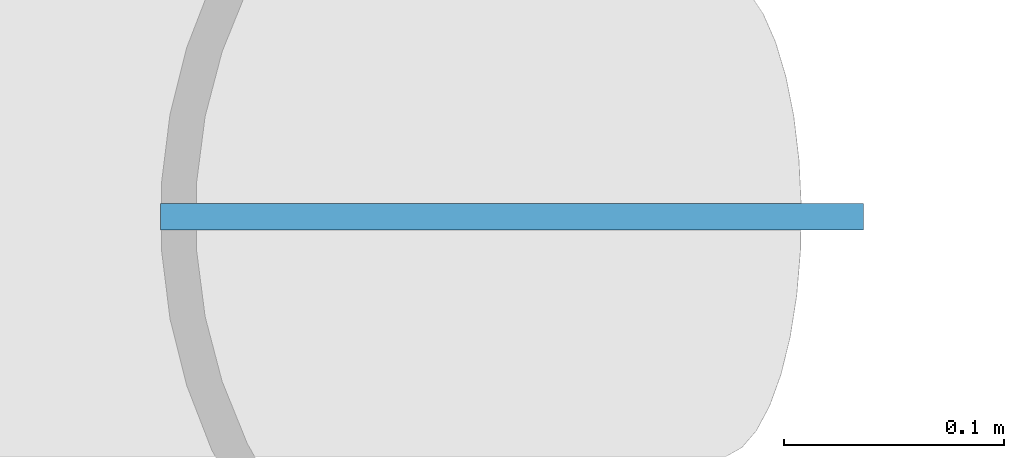
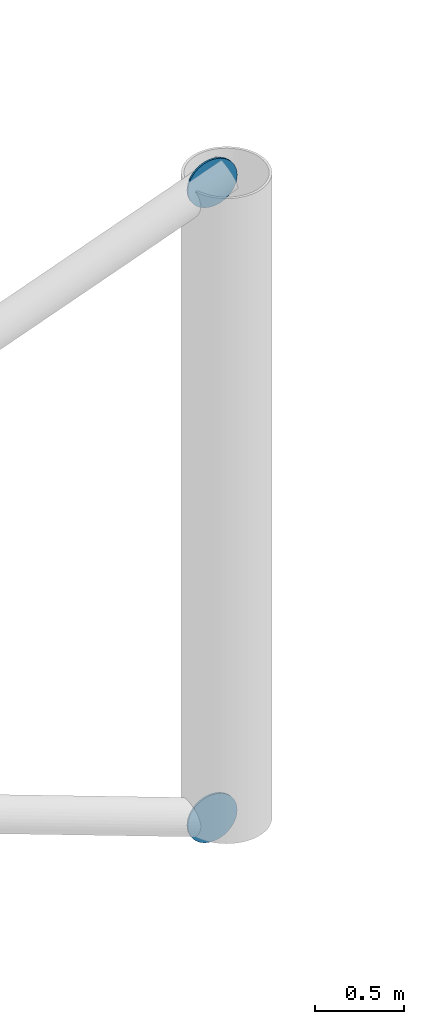
# One storey, part 84 of 115: 2 discrete accessories.
"""IFC4 building model written with IfcOpenShell, lengths in metres."""

from ifc_helpers import new_model, si_unit, direction, frame, origin, origin_2d, place, context, subcontext, project, spatial, circle, extrude, material, layer, layer_set, type_object, element, save


model = new_model("IFC4")

# Units and contexts
model_context = context("Model", 3, precision=1e-05, world=origin(), true_north=direction((0.0, 1.0)))
body_context = subcontext(model_context, "Body", "Model", "MODEL_VIEW")
ifc_project = project(units=[si_unit("LENGTHUNIT", "METRE"), si_unit("AREAUNIT", "SQUARE_METRE"), si_unit("VOLUMEUNIT", "CUBIC_METRE"), si_unit("PLANEANGLEUNIT", "RADIAN"), si_unit("MASSUNIT", "GRAM", prefix="KILO")], contexts=[model_context])

# Site, building, storey
site_placement = place(None, origin())
site = spatial("IfcSite", under=ifc_project, at=site_placement, CompositionType="ELEMENT")
building_placement = place(site_placement, origin())
building = spatial("IfcBuilding", under=site, at=building_placement, Name="Windward Yard Aquatics Centre", CompositionType="ELEMENT")
storey_placement = place(building_placement, frame((0.0, 0.0, 5.0)))
storey = spatial("IfcBuildingStorey", under=building, at=storey_placement, Name="L01", CompositionType="ELEMENT", Elevation=5.0)

# Discrete accessories
ifc_material = material(Name="Steel S355", Category="steel")
ifc_layer = layer(ifc_material, 0.011962890625)
ifc_layer_set = layer_set([ifc_layer], Name="Gusset plate 320 mm disc 12 mm")
discrete_accessory_type = type_object("IfcDiscreteAccessoryType", Name="Gusset plate 320 mm disc 12 mm", PredefinedType="USERDEFINED", material=ifc_layer_set)
for number, where, z_axis, x_axis, name in (
    (1, (71.906005859375, 41.593994140625, 4.365478515625), (0.0, 1.0, 0.0), (-1.0, 0.0, 0.0), "Gusset plate"),
    (2, (71.906005859375, 41.593994140625, 0.034423828125), (0.0, 1.0, 0.0), (-1.0, 0.0, 0.0), "Gusset plate"),
):
    element("IfcDiscreteAccessory", number, at=place(storey_placement, frame(where, z_axis=z_axis, x_axis=x_axis)), inside=storey, type_object=discrete_accessory_type, Name=name, ObjectType="GUSSET PLATE", PredefinedType="USERDEFINED", context=body_context, shape_type="SweptSolid", body=[
        extrude(circle(Radius=0.159912109375, at=origin_2d()), origin(), (0.0, 0.0, 1.0), 0.011962890625),
    ])

save(model, "model.ifc")
